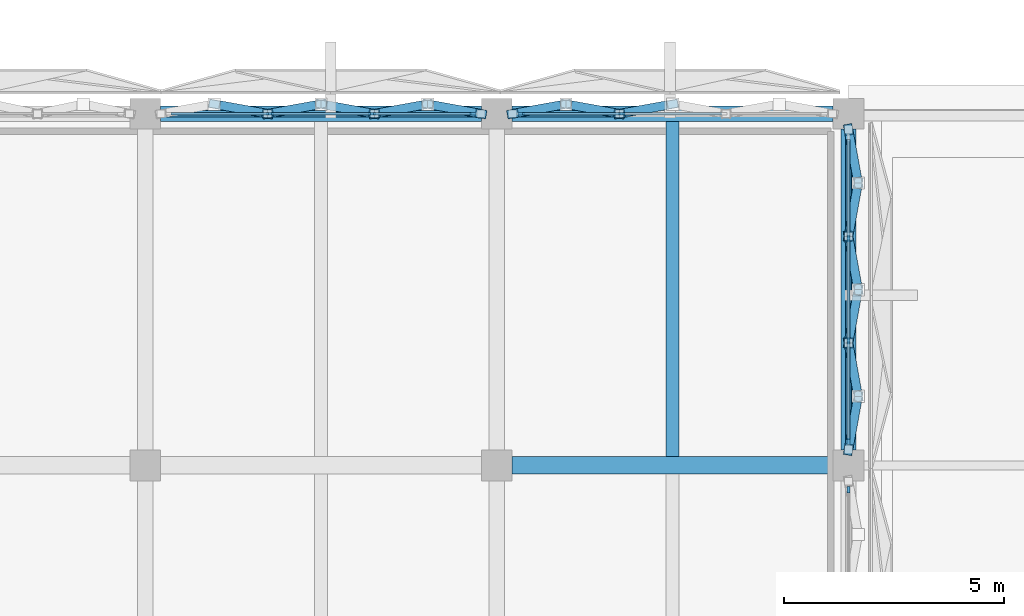
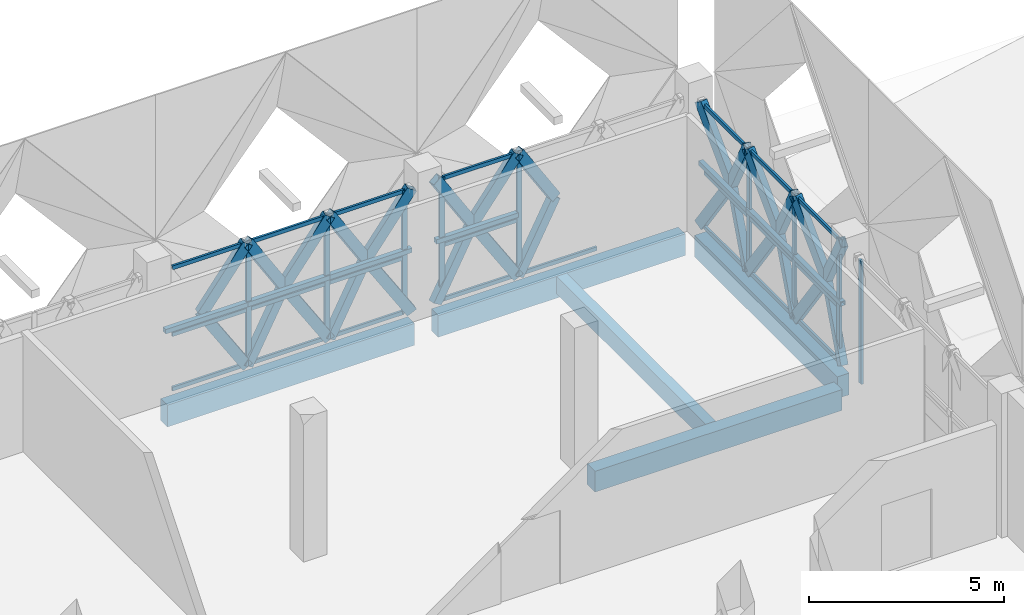
# One storey, part 15 of 37: 66 members, 5 beams, 4 elements without a shape of their own.
"""IFC4 building model written with IfcOpenShell, lengths in metres."""

from ifc_helpers import new_model, si_unit, direction, frame, origin, origin_2d, place, context, subcontext, project, spatial, rectangle, hollow_rectangle, extrude, material, layer, layer_set, material_profile, profile_set, type_object, element, aggregate, save


model = new_model("IFC4")

# Units and contexts
model_context = context("Model", 3, precision=1e-05, world=origin(), true_north=direction((0.0, 1.0)))
body_context = subcontext(model_context, "Body", "Model", "MODEL_VIEW")
ifc_project = project(units=[si_unit("LENGTHUNIT", "METRE"), si_unit("AREAUNIT", "SQUARE_METRE"), si_unit("VOLUMEUNIT", "CUBIC_METRE"), si_unit("PLANEANGLEUNIT", "RADIAN"), si_unit("MASSUNIT", "GRAM", prefix="KILO")], contexts=[model_context])

# Site, building, storey
site_placement = place(None, origin())
site = spatial("IfcSite", under=ifc_project, at=site_placement, CompositionType="ELEMENT")
building_placement = place(site_placement, origin())
building = spatial("IfcBuilding", under=site, at=building_placement, Name="Qorikala Patio Media Centre", CompositionType="ELEMENT")
storey_placement = place(building_placement, frame((0.0, 0.0, 14.39990234375)))
storey = spatial("IfcBuildingStorey", under=building, at=storey_placement, Name="L03", CompositionType="ELEMENT", Elevation=14.39990234375)

# Beam
ifc_material_1 = material(Name="Concrete C35/45", Category="concrete")
ifc_material_profile_1 = material_profile(ifc_material_1, rectangle(XDim=0.39990234375, YDim=0.64990234375, at=origin_2d()), Name="RC 400x650")
ifc_profile_set_1 = profile_set([ifc_material_profile_1], Name="Concrete C35/45")
beam_type_1 = type_object("IfcBeamType", Name="BM-G400X650", PredefinedType="BEAM", material=ifc_profile_set_1)
beam_1_placement = place(storey_placement, frame((90.35009765625, 19.0, -0.625), z_axis=(1.0, 0.0, 0.0), x_axis=(0.0, 1.0, 0.0)))
element("IfcBeam", 1, at=beam_1_placement, inside=storey, type_object=beam_type_1, Name="L03 Grid 19 Beam 1133", PredefinedType="BEAM", context=body_context, shape_type="SweptSolid", body=[
    extrude(rectangle(XDim=0.39990234375, YDim=0.64990234375, at=origin_2d()), origin(), (0.0, 0.0, 1.0), 7.2998046875),
])

# Members
ifc_material_2 = material(Name="Golden Bronze Coated Steel S355", Category="steel")
ifc_material_profile_2 = material_profile(ifc_material_2, hollow_rectangle(XDim=0.139892578125, YDim=0.139892578125, WallThickness=0.006103515625, at=origin_2d()), Name="HSS140X140X6")
ifc_profile_set_2 = profile_set([ifc_material_profile_2], Name="Golden Bronze Coated Steel S355")
member_type_1 = type_object("IfcMemberType", Name="BRACE-DIA140", PredefinedType="BRACE", material=ifc_profile_set_2)
member_1_placement = place(storey_placement, frame((98.0, 26.639892578125, 1.925048828125), z_axis=(0.0, -1.0, 0.0), x_axis=(1.0, 0.0, 0.0)))
element("IfcMember", 2, at=member_1_placement, inside=storey, type_object=member_type_1, Name="L03 Diamond Fold Tie 067", PredefinedType="BRACE", context=body_context, shape_type="SweptSolid", body=[
    extrude(hollow_rectangle(XDim=0.139892578125, YDim=0.139892578125, WallThickness=0.006103515625, at=origin_2d()), origin(), (0.0, 0.0, 1.0), 2.426513671875),
])
member_2_placement = place(storey_placement, frame((98.0, 24.21337890625, 1.925048828125), z_axis=(0.0, -1.0, 0.0), x_axis=(1.0, 0.0, 0.0)))
element("IfcMember", 3, at=member_2_placement, inside=storey, type_object=member_type_1, Name="L03 Diamond Fold Tie 068", PredefinedType="BRACE", context=body_context, shape_type="SweptSolid", body=[
    extrude(hollow_rectangle(XDim=0.139892578125, YDim=0.139892578125, WallThickness=0.006103515625, at=origin_2d()), origin(), (0.0, 0.0, 1.0), 2.4267578125),
])
for number, where, z_axis, x_axis, name in (
    (4, (98.0, 21.78662109375, 1.925048828125), (0.0, -1.0, 0.0), (1.0, 0.0, 0.0), "L03 Diamond Fold Tie 069"),
    (5, (82.360107421875, 27.0, 1.925048828125), (1.0, 0.0, 0.0), (0.0, 1.0, 0.0), "L03 Diamond Fold Tie 103"),
):
    element("IfcMember", number, at=place(storey_placement, frame(where, z_axis=z_axis, x_axis=x_axis)), inside=storey, type_object=member_type_1, Name=name, PredefinedType="BRACE", context=body_context, shape_type="SweptSolid", body=[
        extrude(hollow_rectangle(XDim=0.139892578125, YDim=0.139892578125, WallThickness=0.006103515625, at=origin_2d()), origin(), (0.0, 0.0, 1.0), 2.426513671875),
    ])
member_3_placement = place(storey_placement, frame((84.78662109375, 27.0, 1.925048828125), z_axis=(1.0, 0.0, 0.0), x_axis=(0.0, 1.0, 0.0)))
element("IfcMember", 6, at=member_3_placement, inside=storey, type_object=member_type_1, Name="L03 Diamond Fold Tie 104", PredefinedType="BRACE", context=body_context, shape_type="SweptSolid", body=[
    extrude(hollow_rectangle(XDim=0.139892578125, YDim=0.139892578125, WallThickness=0.006103515625, at=origin_2d()), origin(), (0.0, 0.0, 1.0), 2.4267578125),
])
for number, where, z_axis, x_axis, name in (
    (7, (87.21337890625, 27.0, 1.925048828125), (1.0, 0.0, 0.0), (0.0, 1.0, 0.0), "L03 Diamond Fold Tie 105"),
    (8, (90.360107421875, 27.0, 1.925048828125), (1.0, 0.0, 0.0), (0.0, 1.0, 0.0), "L03 Diamond Fold Tie 106"),
):
    element("IfcMember", number, at=place(storey_placement, frame(where, z_axis=z_axis, x_axis=x_axis)), inside=storey, type_object=member_type_1, Name=name, PredefinedType="BRACE", context=body_context, shape_type="SweptSolid", body=[
        extrude(hollow_rectangle(XDim=0.139892578125, YDim=0.139892578125, WallThickness=0.006103515625, at=origin_2d()), origin(), (0.0, 0.0, 1.0), 2.426513671875),
    ])

# Curtain wall, members
ifc_material_3 = material(Name="Golden Bronze Anodised Aluminium and Low-E Glass", Category="aluminium")
ifc_layer = layer(ifc_material_3, 0.159912109375)
ifc_layer_set = layer_set([ifc_layer], Name="Golden Bronze Anodised Aluminium and Low-E Glass")
curtain_wall_type = type_object("IfcCurtainWallType", Name="CW-DIA-696X385", PredefinedType="USERDEFINED", material=ifc_layer_set)
curtain_wall_1_placement = place(storey_placement, origin())
curtain_wall_1 = element("IfcCurtainWall", 9, at=curtain_wall_1_placement, inside=storey, type_object=curtain_wall_type, Name="L03 Courtyard Curtain Wall 064", ObjectType="COURTYARD CURTAIN WALL", PredefinedType="USERDEFINED")
ifc_material_4 = material(Name="Golden Bronze Anodised Aluminium", Category="aluminium")
ifc_material_profile_3 = material_profile(ifc_material_4, rectangle(XDim=0.06494140625, YDim=0.14990234375, at=origin_2d()), Name="ALU MULLION 65x150")
ifc_profile_set_3 = profile_set([ifc_material_profile_3], Name="Golden Bronze Anodised Aluminium")
member_type_2 = type_object("IfcMemberType", Name="CWM-65X150", PredefinedType="MULLION", material=ifc_profile_set_3)
member_4_placement = place(storey_placement, frame((98.0, 24.159912109375, 0.0), z_axis=(0.0, 0.0, 1.0), x_axis=(1.0, 0.0, 0.0)))
member_4 = element("IfcMember", 10, at=member_4_placement, type_object=member_type_2, Name="CWD696385 mullion 2", PredefinedType="MULLION", context=body_context, shape_type="SweptSolid", body=[
    extrude(rectangle(XDim=0.06494140625, YDim=0.14990234375, at=origin_2d()), origin(), (0.0, 0.0, 1.0), 3.85009765625),
])
member_5_placement = place(storey_placement, frame((98.0, 21.840087890625, 0.0), z_axis=(0.0, 0.0, 1.0), x_axis=(1.0, 0.0, 0.0)))
member_5 = element("IfcMember", 11, at=member_5_placement, type_object=member_type_2, Name="CWD696385 mullion 3", PredefinedType="MULLION", context=body_context, shape_type="SweptSolid", body=[
    extrude(rectangle(XDim=0.06494140625, YDim=0.14990234375, at=origin_2d()), origin(), (0.0, 0.0, 1.0), 3.85009765625),
])
member_6_placement = place(storey_placement, frame((98.0, 19.552490234375, 0.0), z_axis=(0.0, 0.0, 1.0), x_axis=(1.0, 0.0, 0.0)))
member_6 = element("IfcMember", 12, at=member_6_placement, type_object=member_type_2, Name="CWD696385 mullion 4", PredefinedType="MULLION", context=body_context, shape_type="SweptSolid", body=[
    extrude(rectangle(XDim=0.06494140625, YDim=0.14990234375, at=origin_2d()), origin(), (0.0, 0.0, 1.0), 3.85009765625),
])

# Curtain wall, member
curtain_wall_2_placement = place(storey_placement, origin())
curtain_wall_2 = element("IfcCurtainWall", 13, at=curtain_wall_2_placement, inside=storey, type_object=curtain_wall_type, Name="L03 Courtyard Curtain Wall 065", ObjectType="COURTYARD CURTAIN WALL", PredefinedType="USERDEFINED")
member_7_placement = place(storey_placement, frame((98.0, 18.447509765625, 0.0), z_axis=(0.0, 0.0, 1.0), x_axis=(1.0, 0.0, 0.0)))
member_7 = element("IfcMember", 14, at=member_7_placement, type_object=member_type_2, Name="CWD696385 mullion 1", PredefinedType="MULLION", context=body_context, shape_type="SweptSolid", body=[
    extrude(rectangle(XDim=0.06494140625, YDim=0.14990234375, at=origin_2d()), origin(), (0.0, 0.0, 1.0), 3.85009765625),
])
aggregate(curtain_wall_2, [member_7])

# Curtain wall, members
curtain_wall_3_placement = place(storey_placement, origin())
curtain_wall_3 = element("IfcCurtainWall", 15, at=curtain_wall_3_placement, inside=storey, type_object=curtain_wall_type, Name="L03 Courtyard Curtain Wall 076", ObjectType="COURTYARD CURTAIN WALL", PredefinedType="USERDEFINED")
member_8_placement = place(storey_placement, frame((84.840087890625, 27.0, 0.0), z_axis=(0.0, 0.0, 1.0), x_axis=(0.0, 1.0, 0.0)))
member_8 = element("IfcMember", 16, at=member_8_placement, type_object=member_type_2, Name="CWD696385 mullion 2", PredefinedType="MULLION", context=body_context, shape_type="SweptSolid", body=[
    extrude(rectangle(XDim=0.06494140625, YDim=0.14990234375, at=origin_2d()), origin(), (0.0, 0.0, 1.0), 3.85009765625),
])
member_9_placement = place(storey_placement, frame((87.159912109375, 27.0, 0.0), z_axis=(0.0, 0.0, 1.0), x_axis=(0.0, 1.0, 0.0)))
member_9 = element("IfcMember", 17, at=member_9_placement, type_object=member_type_2, Name="CWD696385 mullion 3", PredefinedType="MULLION", context=body_context, shape_type="SweptSolid", body=[
    extrude(rectangle(XDim=0.06494140625, YDim=0.14990234375, at=origin_2d()), origin(), (0.0, 0.0, 1.0), 3.85009765625),
])
member_10_placement = place(storey_placement, frame((89.447509765625, 27.0, 0.0), z_axis=(0.0, 0.0, 1.0), x_axis=(0.0, 1.0, 0.0)))
member_10 = element("IfcMember", 18, at=member_10_placement, type_object=member_type_2, Name="CWD696385 mullion 4", PredefinedType="MULLION", context=body_context, shape_type="SweptSolid", body=[
    extrude(rectangle(XDim=0.06494140625, YDim=0.14990234375, at=origin_2d()), origin(), (0.0, 0.0, 1.0), 3.85009765625),
])

curtain_wall_4_placement = place(storey_placement, origin())
curtain_wall_4 = element("IfcCurtainWall", 19, at=curtain_wall_4_placement, inside=storey, type_object=curtain_wall_type, Name="L03 Courtyard Curtain Wall 077", ObjectType="COURTYARD CURTAIN WALL", PredefinedType="USERDEFINED")
member_11_placement = place(storey_placement, frame((90.552490234375, 27.0, 0.0), z_axis=(0.0, 0.0, 1.0), x_axis=(0.0, 1.0, 0.0)))
member_11 = element("IfcMember", 20, at=member_11_placement, type_object=member_type_2, Name="CWD696385 mullion 1", PredefinedType="MULLION", context=body_context, shape_type="SweptSolid", body=[
    extrude(rectangle(XDim=0.06494140625, YDim=0.14990234375, at=origin_2d()), origin(), (0.0, 0.0, 1.0), 3.85009765625),
])
member_12_placement = place(storey_placement, frame((92.840087890625, 27.0, 0.0), z_axis=(0.0, 0.0, 1.0), x_axis=(0.0, 1.0, 0.0)))
member_12 = element("IfcMember", 21, at=member_12_placement, type_object=member_type_2, Name="CWD696385 mullion 2", PredefinedType="MULLION", context=body_context, shape_type="SweptSolid", body=[
    extrude(rectangle(XDim=0.06494140625, YDim=0.14990234375, at=origin_2d()), origin(), (0.0, 0.0, 1.0), 3.85009765625),
])

# Member
ifc_material_profile_4 = material_profile(ifc_material_4, rectangle(XDim=0.06494140625, YDim=0.1201171875, at=origin_2d()), Name="ALU TRANSOM 65x120")
ifc_profile_set_4 = profile_set([ifc_material_profile_4], Name="Golden Bronze Anodised Aluminium")
member_type_3 = type_object("IfcMemberType", Name="CWT-65X120", PredefinedType="USERDEFINED", material=ifc_profile_set_4)
member_13_placement = place(storey_placement, frame((98.0, 26.4150390625, 0.03271484375), z_axis=(0.0, -1.0, 0.0), x_axis=(1.0, 0.0, 0.0)))
member_13 = element("IfcMember", 22, at=member_13_placement, type_object=member_type_3, Name="CWD696385 transom 1.1", ObjectType="TRANSOM", PredefinedType="USERDEFINED", context=body_context, shape_type="SweptSolid", body=[
    extrude(rectangle(XDim=0.06494140625, YDim=0.1201171875, at=origin_2d()), origin(), (0.0, 0.0, 1.0), 2.22265625),
])

member_14_placement = place(storey_placement, frame((98.0, 26.4150390625, 1.732666015625), z_axis=(0.0, -1.0, 0.0), x_axis=(1.0, 0.0, 0.0)))
member_14 = element("IfcMember", 23, at=member_14_placement, type_object=member_type_3, Name="CWD696385 transom 1.2", ObjectType="TRANSOM", PredefinedType="USERDEFINED", context=body_context, shape_type="SweptSolid", body=[
    extrude(rectangle(XDim=0.06494140625, YDim=0.1201171875, at=origin_2d()), origin(), (0.0, 0.0, 1.0), 2.22265625),
])

member_15_placement = place(storey_placement, frame((98.0, 26.4150390625, 3.817626953125), z_axis=(0.0, -1.0, 0.0), x_axis=(1.0, 0.0, 0.0)))
member_15 = element("IfcMember", 24, at=member_15_placement, type_object=member_type_3, Name="CWD696385 transom 1.3", ObjectType="TRANSOM", PredefinedType="USERDEFINED", context=body_context, shape_type="SweptSolid", body=[
    extrude(rectangle(XDim=0.06494140625, YDim=0.1201171875, at=origin_2d()), origin(), (0.0, 0.0, 1.0), 2.22265625),
])

member_16_placement = place(storey_placement, frame((98.0, 24.12744140625, 0.03271484375), z_axis=(0.0, -1.0, 0.0), x_axis=(1.0, 0.0, 0.0)))
member_16 = element("IfcMember", 25, at=member_16_placement, type_object=member_type_3, Name="CWD696385 transom 2.1", ObjectType="TRANSOM", PredefinedType="USERDEFINED", context=body_context, shape_type="SweptSolid", body=[
    extrude(rectangle(XDim=0.06494140625, YDim=0.1201171875, at=origin_2d()), origin(), (0.0, 0.0, 1.0), 2.2548828125),
])

member_17_placement = place(storey_placement, frame((98.0, 24.12744140625, 1.732666015625), z_axis=(0.0, -1.0, 0.0), x_axis=(1.0, 0.0, 0.0)))
member_17 = element("IfcMember", 26, at=member_17_placement, type_object=member_type_3, Name="CWD696385 transom 2.2", ObjectType="TRANSOM", PredefinedType="USERDEFINED", context=body_context, shape_type="SweptSolid", body=[
    extrude(rectangle(XDim=0.06494140625, YDim=0.1201171875, at=origin_2d()), origin(), (0.0, 0.0, 1.0), 2.2548828125),
])

member_18_placement = place(storey_placement, frame((98.0, 24.12744140625, 3.817626953125), z_axis=(0.0, -1.0, 0.0), x_axis=(1.0, 0.0, 0.0)))
member_18 = element("IfcMember", 27, at=member_18_placement, type_object=member_type_3, Name="CWD696385 transom 2.3", ObjectType="TRANSOM", PredefinedType="USERDEFINED", context=body_context, shape_type="SweptSolid", body=[
    extrude(rectangle(XDim=0.06494140625, YDim=0.1201171875, at=origin_2d()), origin(), (0.0, 0.0, 1.0), 2.2548828125),
])

member_19_placement = place(storey_placement, frame((98.0, 21.8076171875, 0.03271484375), z_axis=(0.0, -1.0, 0.0), x_axis=(1.0, 0.0, 0.0)))
member_19 = element("IfcMember", 28, at=member_19_placement, type_object=member_type_3, Name="CWD696385 transom 3.1", ObjectType="TRANSOM", PredefinedType="USERDEFINED", context=body_context, shape_type="SweptSolid", body=[
    extrude(rectangle(XDim=0.06494140625, YDim=0.1201171875, at=origin_2d()), origin(), (0.0, 0.0, 1.0), 2.22265625),
])

member_20_placement = place(storey_placement, frame((98.0, 21.8076171875, 1.732666015625), z_axis=(0.0, -1.0, 0.0), x_axis=(1.0, 0.0, 0.0)))
member_20 = element("IfcMember", 29, at=member_20_placement, type_object=member_type_3, Name="CWD696385 transom 3.2", ObjectType="TRANSOM", PredefinedType="USERDEFINED", context=body_context, shape_type="SweptSolid", body=[
    extrude(rectangle(XDim=0.06494140625, YDim=0.1201171875, at=origin_2d()), origin(), (0.0, 0.0, 1.0), 2.22265625),
])

member_21_placement = place(storey_placement, frame((98.0, 21.8076171875, 3.817626953125), z_axis=(0.0, -1.0, 0.0), x_axis=(1.0, 0.0, 0.0)))
member_21 = element("IfcMember", 30, at=member_21_placement, type_object=member_type_3, Name="CWD696385 transom 3.3", ObjectType="TRANSOM", PredefinedType="USERDEFINED", context=body_context, shape_type="SweptSolid", body=[
    extrude(rectangle(XDim=0.06494140625, YDim=0.1201171875, at=origin_2d()), origin(), (0.0, 0.0, 1.0), 2.22265625),
])

aggregate(curtain_wall_1, [member_4, member_5, member_6, member_13, member_14, member_15, member_16, member_17, member_18, member_19, member_20, member_21])

member_22_placement = place(storey_placement, frame((82.5849609375, 27.0, 0.03271484375), z_axis=(1.0, 0.0, 0.0), x_axis=(0.0, 1.0, 0.0)))
member_22 = element("IfcMember", 31, at=member_22_placement, type_object=member_type_3, Name="CWD696385 transom 1.1", ObjectType="TRANSOM", PredefinedType="USERDEFINED", context=body_context, shape_type="SweptSolid", body=[
    extrude(rectangle(XDim=0.06494140625, YDim=0.1201171875, at=origin_2d()), origin(), (0.0, 0.0, 1.0), 2.22265625),
])

member_23_placement = place(storey_placement, frame((82.5849609375, 27.0, 1.732666015625), z_axis=(1.0, 0.0, 0.0), x_axis=(0.0, 1.0, 0.0)))
member_23 = element("IfcMember", 32, at=member_23_placement, type_object=member_type_3, Name="CWD696385 transom 1.2", ObjectType="TRANSOM", PredefinedType="USERDEFINED", context=body_context, shape_type="SweptSolid", body=[
    extrude(rectangle(XDim=0.06494140625, YDim=0.1201171875, at=origin_2d()), origin(), (0.0, 0.0, 1.0), 2.22265625),
])

member_24_placement = place(storey_placement, frame((82.5849609375, 27.0, 3.817626953125), z_axis=(1.0, 0.0, 0.0), x_axis=(0.0, 1.0, 0.0)))
member_24 = element("IfcMember", 33, at=member_24_placement, type_object=member_type_3, Name="CWD696385 transom 1.3", ObjectType="TRANSOM", PredefinedType="USERDEFINED", context=body_context, shape_type="SweptSolid", body=[
    extrude(rectangle(XDim=0.06494140625, YDim=0.1201171875, at=origin_2d()), origin(), (0.0, 0.0, 1.0), 2.22265625),
])

member_25_placement = place(storey_placement, frame((84.87255859375, 27.0, 0.03271484375), z_axis=(1.0, 0.0, 0.0), x_axis=(0.0, 1.0, 0.0)))
member_25 = element("IfcMember", 34, at=member_25_placement, type_object=member_type_3, Name="CWD696385 transom 2.1", ObjectType="TRANSOM", PredefinedType="USERDEFINED", context=body_context, shape_type="SweptSolid", body=[
    extrude(rectangle(XDim=0.06494140625, YDim=0.1201171875, at=origin_2d()), origin(), (0.0, 0.0, 1.0), 2.2548828125),
])

member_26_placement = place(storey_placement, frame((84.87255859375, 27.0, 1.732666015625), z_axis=(1.0, 0.0, 0.0), x_axis=(0.0, 1.0, 0.0)))
member_26 = element("IfcMember", 35, at=member_26_placement, type_object=member_type_3, Name="CWD696385 transom 2.2", ObjectType="TRANSOM", PredefinedType="USERDEFINED", context=body_context, shape_type="SweptSolid", body=[
    extrude(rectangle(XDim=0.06494140625, YDim=0.1201171875, at=origin_2d()), origin(), (0.0, 0.0, 1.0), 2.2548828125),
])

member_27_placement = place(storey_placement, frame((84.87255859375, 27.0, 3.817626953125), z_axis=(1.0, 0.0, 0.0), x_axis=(0.0, 1.0, 0.0)))
member_27 = element("IfcMember", 36, at=member_27_placement, type_object=member_type_3, Name="CWD696385 transom 2.3", ObjectType="TRANSOM", PredefinedType="USERDEFINED", context=body_context, shape_type="SweptSolid", body=[
    extrude(rectangle(XDim=0.06494140625, YDim=0.1201171875, at=origin_2d()), origin(), (0.0, 0.0, 1.0), 2.2548828125),
])

member_28_placement = place(storey_placement, frame((87.1923828125, 27.0, 0.03271484375), z_axis=(1.0, 0.0, 0.0), x_axis=(0.0, 1.0, 0.0)))
member_28 = element("IfcMember", 37, at=member_28_placement, type_object=member_type_3, Name="CWD696385 transom 3.1", ObjectType="TRANSOM", PredefinedType="USERDEFINED", context=body_context, shape_type="SweptSolid", body=[
    extrude(rectangle(XDim=0.06494140625, YDim=0.1201171875, at=origin_2d()), origin(), (0.0, 0.0, 1.0), 2.22265625),
])

member_29_placement = place(storey_placement, frame((87.1923828125, 27.0, 1.732666015625), z_axis=(1.0, 0.0, 0.0), x_axis=(0.0, 1.0, 0.0)))
member_29 = element("IfcMember", 38, at=member_29_placement, type_object=member_type_3, Name="CWD696385 transom 3.2", ObjectType="TRANSOM", PredefinedType="USERDEFINED", context=body_context, shape_type="SweptSolid", body=[
    extrude(rectangle(XDim=0.06494140625, YDim=0.1201171875, at=origin_2d()), origin(), (0.0, 0.0, 1.0), 2.22265625),
])

member_30_placement = place(storey_placement, frame((87.1923828125, 27.0, 3.817626953125), z_axis=(1.0, 0.0, 0.0), x_axis=(0.0, 1.0, 0.0)))
member_30 = element("IfcMember", 39, at=member_30_placement, type_object=member_type_3, Name="CWD696385 transom 3.3", ObjectType="TRANSOM", PredefinedType="USERDEFINED", context=body_context, shape_type="SweptSolid", body=[
    extrude(rectangle(XDim=0.06494140625, YDim=0.1201171875, at=origin_2d()), origin(), (0.0, 0.0, 1.0), 2.22265625),
])

aggregate(curtain_wall_3, [member_8, member_9, member_10, member_22, member_23, member_24, member_25, member_26, member_27, member_28, member_29, member_30])

member_31_placement = place(storey_placement, frame((90.5849609375, 27.0, 0.03271484375), z_axis=(1.0, 0.0, 0.0), x_axis=(0.0, 1.0, 0.0)))
member_31 = element("IfcMember", 40, at=member_31_placement, type_object=member_type_3, Name="CWD696385 transom 1.1", ObjectType="TRANSOM", PredefinedType="USERDEFINED", context=body_context, shape_type="SweptSolid", body=[
    extrude(rectangle(XDim=0.06494140625, YDim=0.1201171875, at=origin_2d()), origin(), (0.0, 0.0, 1.0), 2.22265625),
])

member_32_placement = place(storey_placement, frame((90.5849609375, 27.0, 1.732666015625), z_axis=(1.0, 0.0, 0.0), x_axis=(0.0, 1.0, 0.0)))
member_32 = element("IfcMember", 41, at=member_32_placement, type_object=member_type_3, Name="CWD696385 transom 1.2", ObjectType="TRANSOM", PredefinedType="USERDEFINED", context=body_context, shape_type="SweptSolid", body=[
    extrude(rectangle(XDim=0.06494140625, YDim=0.1201171875, at=origin_2d()), origin(), (0.0, 0.0, 1.0), 2.22265625),
])

member_33_placement = place(storey_placement, frame((90.5849609375, 27.0, 3.817626953125), z_axis=(1.0, 0.0, 0.0), x_axis=(0.0, 1.0, 0.0)))
member_33 = element("IfcMember", 42, at=member_33_placement, type_object=member_type_3, Name="CWD696385 transom 1.3", ObjectType="TRANSOM", PredefinedType="USERDEFINED", context=body_context, shape_type="SweptSolid", body=[
    extrude(rectangle(XDim=0.06494140625, YDim=0.1201171875, at=origin_2d()), origin(), (0.0, 0.0, 1.0), 2.22265625),
])

member_34_placement = place(storey_placement, frame((92.87255859375, 27.0, 0.03271484375), z_axis=(1.0, 0.0, 0.0), x_axis=(0.0, 1.0, 0.0)))
member_34 = element("IfcMember", 43, at=member_34_placement, type_object=member_type_3, Name="CWD696385 transom 2.1", ObjectType="TRANSOM", PredefinedType="USERDEFINED", context=body_context, shape_type="SweptSolid", body=[
    extrude(rectangle(XDim=0.06494140625, YDim=0.1201171875, at=origin_2d()), origin(), (0.0, 0.0, 1.0), 2.2548828125),
])

aggregate(curtain_wall_4, [member_11, member_12, member_31, member_32, member_33, member_34])

# Beams
ifc_material_profile_5 = material_profile(ifc_material_1, rectangle(XDim=0.300048828125, YDim=0.550048828125, at=origin_2d()), Name="RC 300x550")
ifc_profile_set_5 = profile_set([ifc_material_profile_5], Name="Concrete C35/45")
beam_type_2 = type_object("IfcBeamType", Name="JS-300X550", PredefinedType="JOIST", material=ifc_profile_set_5)
beam_2_placement = place(storey_placement, frame((94.0, 19.199951171875, -0.574951171875), z_axis=(0.0, 1.0, 0.0), x_axis=(-1.0, 0.0, 0.0)))
element("IfcBeam", 44, at=beam_2_placement, inside=storey, type_object=beam_type_2, Name="L03 Secondary Joist 1317", PredefinedType="JOIST", context=body_context, shape_type="SweptSolid", body=[
    extrude(rectangle(XDim=0.300048828125, YDim=0.550048828125, at=origin_2d()), origin(), (0.0, 0.0, 1.0), 7.625),
])
ifc_material_profile_6 = material_profile(ifc_material_1, rectangle(XDim=0.35009765625, YDim=0.679931640625, at=origin_2d()), Name="RC 350x680")
ifc_profile_set_6 = profile_set([ifc_material_profile_6], Name="Concrete C35/45")
beam_type_3 = type_object("IfcBeamType", Name="SP-350X680", PredefinedType="SPANDREL", material=ifc_profile_set_6)
for number, where, z_axis, x_axis, name in (
    (45, (82.35009765625, 27.0, -0.639892578125), (1.0, 0.0, 0.0), (0.0, 1.0, 0.0), "L03 Grid 27 Beam 1144"),
    (46, (90.35009765625, 27.0, -0.639892578125), (1.0, 0.0, 0.0), (0.0, 1.0, 0.0), "L03 Grid 27 Beam 1145"),
    (47, (98.0, 19.35009765625, -0.639892578125), (0.0, 1.0, 0.0), (-1.0, 0.0, 0.0), "L03 Grid X=98 Beam 1263"),
):
    element("IfcBeam", number, at=place(storey_placement, frame(where, z_axis=z_axis, x_axis=x_axis)), inside=storey, type_object=beam_type_3, Name=name, PredefinedType="SPANDREL", context=body_context, shape_type="SweptSolid", body=[
        extrude(rectangle(XDim=0.35009765625, YDim=0.679931640625, at=origin_2d()), origin(), (0.0, 0.0, 1.0), 7.2998046875),
    ])

# Members
ifc_material_profile_7 = material_profile(ifc_material_2, hollow_rectangle(XDim=0.199951171875, YDim=0.300048828125, WallThickness=0.011962890625, at=origin_2d()), Name="HSS300X200X12")
ifc_profile_set_7 = profile_set([ifc_material_profile_7], Name="Golden Bronze Coated Steel S355")
member_type_4 = type_object("IfcMemberType", Name="STRUT-DIA300", PredefinedType="STRUT", material=ifc_profile_set_7)
member_35_placement = place(storey_placement, frame((98.0, 26.639892578125, 0.0), z_axis=(0.095906793675, -0.530691378365, 0.842121456713), x_axis=(0.984059472596, 0.17783968734, 0.0)))
element("IfcMember", 48, at=member_35_placement, inside=storey, type_object=member_type_4, Name="L03 Diamond Foyer Fold Strut 067-DL1", PredefinedType="STRUT", context=body_context, shape_type="SweptSolid", body=[
    extrude(hollow_rectangle(XDim=0.199951171875, YDim=0.300048828125, WallThickness=0.011962890625, at=origin_2d()), origin(), (0.0, 0.0, 1.0), 2.285888671875),
])
member_36_placement = place(storey_placement, frame((98.0, 24.21337890625, 0.0), z_axis=(0.095901357778, 0.530768093717, 0.842073726148), x_axis=(-0.98406573416, 0.177805036072, 0.0)))
element("IfcMember", 49, at=member_36_placement, inside=storey, type_object=member_type_4, Name="L03 Diamond Foyer Fold Strut 067-DL2", PredefinedType="STRUT", context=body_context, shape_type="SweptSolid", body=[
    extrude(hollow_rectangle(XDim=0.199951171875, YDim=0.300048828125, WallThickness=0.011962890625, at=origin_2d()), origin(), (0.0, 0.0, 1.0), 2.2861328125),
])
member_37_placement = place(storey_placement, frame((98.21923828125, 25.4267578125, 1.925048828125), z_axis=(-0.095906793675, 0.530691378365, 0.842121456713), x_axis=(-0.984059472596, -0.17783968734, 0.0)))
element("IfcMember", 50, at=member_37_placement, inside=storey, type_object=member_type_4, Name="L03 Diamond Foyer Fold Strut 067-DU1", PredefinedType="STRUT", context=body_context, shape_type="SweptSolid", body=[
    extrude(hollow_rectangle(XDim=0.199951171875, YDim=0.300048828125, WallThickness=0.011962890625, at=origin_2d()), origin(), (0.0, 0.0, 1.0), 2.285888671875),
])
for number, where, z_axis, x_axis, name in (
    (51, (98.21923828125, 25.4267578125, 1.925048828125), (-0.095901357778, -0.530768093717, 0.842073726148), (0.98406573416, -0.177805036072, 0.0), "L03 Diamond Foyer Fold Strut 067-DU2"),
    (52, (98.0, 24.21337890625, 0.0), (0.095901357778, -0.530768093717, 0.842073726148), (0.98406573416, 0.177805036072, 0.0), "L03 Diamond Foyer Fold Strut 068-DL1"),
    (53, (98.0, 21.78662109375, 0.0), (0.095901357778, 0.530768093717, 0.842073726148), (-0.98406573416, 0.177805036072, 0.0), "L03 Diamond Foyer Fold Strut 068-DL2"),
    (54, (98.21923828125, 23.0, 1.925048828125), (-0.095901357778, 0.530768093717, 0.842073726148), (-0.98406573416, -0.177805036072, 0.0), "L03 Diamond Foyer Fold Strut 068-DU1"),
    (55, (98.21923828125, 23.0, 1.925048828125), (-0.095901357778, -0.530768093717, 0.842073726148), (0.98406573416, -0.177805036072, 0.0), "L03 Diamond Foyer Fold Strut 068-DU2"),
    (56, (98.0, 21.78662109375, 0.0), (0.095901357778, -0.530768093717, 0.842073726148), (0.98406573416, 0.177805036072, 0.0), "L03 Diamond Foyer Fold Strut 069-DL1"),
):
    element("IfcMember", number, at=place(storey_placement, frame(where, z_axis=z_axis, x_axis=x_axis)), inside=storey, type_object=member_type_4, Name=name, PredefinedType="STRUT", context=body_context, shape_type="SweptSolid", body=[
        extrude(hollow_rectangle(XDim=0.199951171875, YDim=0.300048828125, WallThickness=0.011962890625, at=origin_2d()), origin(), (0.0, 0.0, 1.0), 2.2861328125),
    ])
member_38_placement = place(storey_placement, frame((98.0, 19.360107421875, 0.0), z_axis=(0.095906793675, 0.530691378365, 0.842121456713), x_axis=(-0.984059472596, 0.17783968734, 0.0)))
element("IfcMember", 57, at=member_38_placement, inside=storey, type_object=member_type_4, Name="L03 Diamond Foyer Fold Strut 069-DL2", PredefinedType="STRUT", context=body_context, shape_type="SweptSolid", body=[
    extrude(hollow_rectangle(XDim=0.199951171875, YDim=0.300048828125, WallThickness=0.011962890625, at=origin_2d()), origin(), (0.0, 0.0, 1.0), 2.285888671875),
])
member_39_placement = place(storey_placement, frame((98.21923828125, 20.5732421875, 1.925048828125), z_axis=(-0.095901357778, 0.530768093717, 0.842073726148), x_axis=(-0.98406573416, -0.177805036072, 0.0)))
element("IfcMember", 58, at=member_39_placement, inside=storey, type_object=member_type_4, Name="L03 Diamond Foyer Fold Strut 069-DU1", PredefinedType="STRUT", context=body_context, shape_type="SweptSolid", body=[
    extrude(hollow_rectangle(XDim=0.199951171875, YDim=0.300048828125, WallThickness=0.011962890625, at=origin_2d()), origin(), (0.0, 0.0, 1.0), 2.2861328125),
])
member_40_placement = place(storey_placement, frame((98.21923828125, 20.5732421875, 1.925048828125), z_axis=(-0.095906793675, -0.530691378365, 0.842121456713), x_axis=(0.984059472596, -0.17783968734, 0.0)))
element("IfcMember", 59, at=member_40_placement, inside=storey, type_object=member_type_4, Name="L03 Diamond Foyer Fold Strut 069-DU2", PredefinedType="STRUT", context=body_context, shape_type="SweptSolid", body=[
    extrude(hollow_rectangle(XDim=0.199951171875, YDim=0.300048828125, WallThickness=0.011962890625, at=origin_2d()), origin(), (0.0, 0.0, 1.0), 2.285888671875),
])
for number, where, z_axis, x_axis, name in (
    (60, (84.78662109375, 27.0, 0.0), (-0.530768093717, 0.095901357778, 0.842073726148), (-0.177805036072, -0.98406573416, 0.0), "L03 Diamond Foyer Fold Strut 103-DL2"),
    (61, (83.5732421875, 27.21923828125, 1.925048828125), (0.530768093717, -0.095901357778, 0.842073726148), (0.177805036072, 0.98406573416, 0.0), "L03 Diamond Foyer Fold Strut 103-DU2"),
    (62, (84.78662109375, 27.0, 0.0), (0.530768093717, 0.095901357778, 0.842073726148), (-0.177805036072, 0.98406573416, 0.0), "L03 Diamond Foyer Fold Strut 104-DL1"),
    (63, (87.21337890625, 27.0, 0.0), (-0.530768093717, 0.095901357778, 0.842073726148), (-0.177805036072, -0.98406573416, 0.0), "L03 Diamond Foyer Fold Strut 104-DL2"),
    (64, (86.0, 27.21923828125, 1.925048828125), (-0.530768093717, -0.095901357778, 0.842073726148), (0.177805036072, -0.98406573416, 0.0), "L03 Diamond Foyer Fold Strut 104-DU1"),
    (65, (86.0, 27.21923828125, 1.925048828125), (0.530768093717, -0.095901357778, 0.842073726148), (0.177805036072, 0.98406573416, 0.0), "L03 Diamond Foyer Fold Strut 104-DU2"),
    (66, (87.21337890625, 27.0, 0.0), (0.530768093717, 0.095901357778, 0.842073726148), (-0.177805036072, 0.98406573416, 0.0), "L03 Diamond Foyer Fold Strut 105-DL1"),
):
    element("IfcMember", number, at=place(storey_placement, frame(where, z_axis=z_axis, x_axis=x_axis)), inside=storey, type_object=member_type_4, Name=name, PredefinedType="STRUT", context=body_context, shape_type="SweptSolid", body=[
        extrude(hollow_rectangle(XDim=0.199951171875, YDim=0.300048828125, WallThickness=0.011962890625, at=origin_2d()), origin(), (0.0, 0.0, 1.0), 2.2861328125),
    ])
member_41_placement = place(storey_placement, frame((89.639892578125, 27.0, 0.0), z_axis=(-0.530691378365, 0.095906793675, 0.842121456713), x_axis=(-0.17783968734, -0.984059472596, 0.0)))
element("IfcMember", 67, at=member_41_placement, inside=storey, type_object=member_type_4, Name="L03 Diamond Foyer Fold Strut 105-DL2", PredefinedType="STRUT", context=body_context, shape_type="SweptSolid", body=[
    extrude(hollow_rectangle(XDim=0.199951171875, YDim=0.300048828125, WallThickness=0.011962890625, at=origin_2d()), origin(), (0.0, 0.0, 1.0), 2.285888671875),
])
member_42_placement = place(storey_placement, frame((88.4267578125, 27.21923828125, 1.925048828125), z_axis=(-0.530768093717, -0.095901357778, 0.842073726148), x_axis=(0.177805036072, -0.98406573416, 0.0)))
element("IfcMember", 68, at=member_42_placement, inside=storey, type_object=member_type_4, Name="L03 Diamond Foyer Fold Strut 105-DU1", PredefinedType="STRUT", context=body_context, shape_type="SweptSolid", body=[
    extrude(hollow_rectangle(XDim=0.199951171875, YDim=0.300048828125, WallThickness=0.011962890625, at=origin_2d()), origin(), (0.0, 0.0, 1.0), 2.2861328125),
])
for number, where, z_axis, x_axis, name in (
    (69, (88.4267578125, 27.21923828125, 1.925048828125), (0.530691378365, -0.095906793675, 0.842121456713), (0.17783968734, 0.984059472596, 0.0), "L03 Diamond Foyer Fold Strut 105-DU2"),
    (70, (90.360107421875, 27.0, 0.0), (0.530691378365, 0.095906793675, 0.842121456713), (-0.17783968734, 0.984059472596, 0.0), "L03 Diamond Foyer Fold Strut 106-DL1"),
):
    element("IfcMember", number, at=place(storey_placement, frame(where, z_axis=z_axis, x_axis=x_axis)), inside=storey, type_object=member_type_4, Name=name, PredefinedType="STRUT", context=body_context, shape_type="SweptSolid", body=[
        extrude(hollow_rectangle(XDim=0.199951171875, YDim=0.300048828125, WallThickness=0.011962890625, at=origin_2d()), origin(), (0.0, 0.0, 1.0), 2.285888671875),
    ])
member_43_placement = place(storey_placement, frame((92.78662109375, 27.0, 0.0), z_axis=(-0.530768093717, 0.095901357778, 0.842073726148), x_axis=(-0.177805036072, -0.98406573416, 0.0)))
element("IfcMember", 71, at=member_43_placement, inside=storey, type_object=member_type_4, Name="L03 Diamond Foyer Fold Strut 106-DL2", PredefinedType="STRUT", context=body_context, shape_type="SweptSolid", body=[
    extrude(hollow_rectangle(XDim=0.199951171875, YDim=0.300048828125, WallThickness=0.011962890625, at=origin_2d()), origin(), (0.0, 0.0, 1.0), 2.2861328125),
])
member_44_placement = place(storey_placement, frame((91.5732421875, 27.21923828125, 1.925048828125), z_axis=(-0.530691378365, -0.095906793675, 0.842121456713), x_axis=(0.17783968734, -0.984059472596, 0.0)))
element("IfcMember", 72, at=member_44_placement, inside=storey, type_object=member_type_4, Name="L03 Diamond Foyer Fold Strut 106-DU1", PredefinedType="STRUT", context=body_context, shape_type="SweptSolid", body=[
    extrude(hollow_rectangle(XDim=0.199951171875, YDim=0.300048828125, WallThickness=0.011962890625, at=origin_2d()), origin(), (0.0, 0.0, 1.0), 2.285888671875),
])
for number, where, z_axis, x_axis, name in (
    (73, (91.5732421875, 27.21923828125, 1.925048828125), (0.530768093717, -0.095901357778, 0.842073726148), (0.177805036072, 0.98406573416, 0.0), "L03 Diamond Foyer Fold Strut 106-DU2"),
    (74, (92.78662109375, 27.0, 0.0), (0.530768093717, 0.095901357778, 0.842073726148), (-0.177805036072, 0.98406573416, 0.0), "L03 Diamond Foyer Fold Strut 107-DL1"),
    (75, (94.0, 27.21923828125, 1.925048828125), (-0.530768093717, -0.095901357778, 0.842073726148), (0.177805036072, -0.98406573416, 0.0), "L03 Diamond Foyer Fold Strut 107-DU1"),
):
    element("IfcMember", number, at=place(storey_placement, frame(where, z_axis=z_axis, x_axis=x_axis)), inside=storey, type_object=member_type_4, Name=name, PredefinedType="STRUT", context=body_context, shape_type="SweptSolid", body=[
        extrude(hollow_rectangle(XDim=0.199951171875, YDim=0.300048828125, WallThickness=0.011962890625, at=origin_2d()), origin(), (0.0, 0.0, 1.0), 2.2861328125),
    ])

save(model, "model.ifc")
